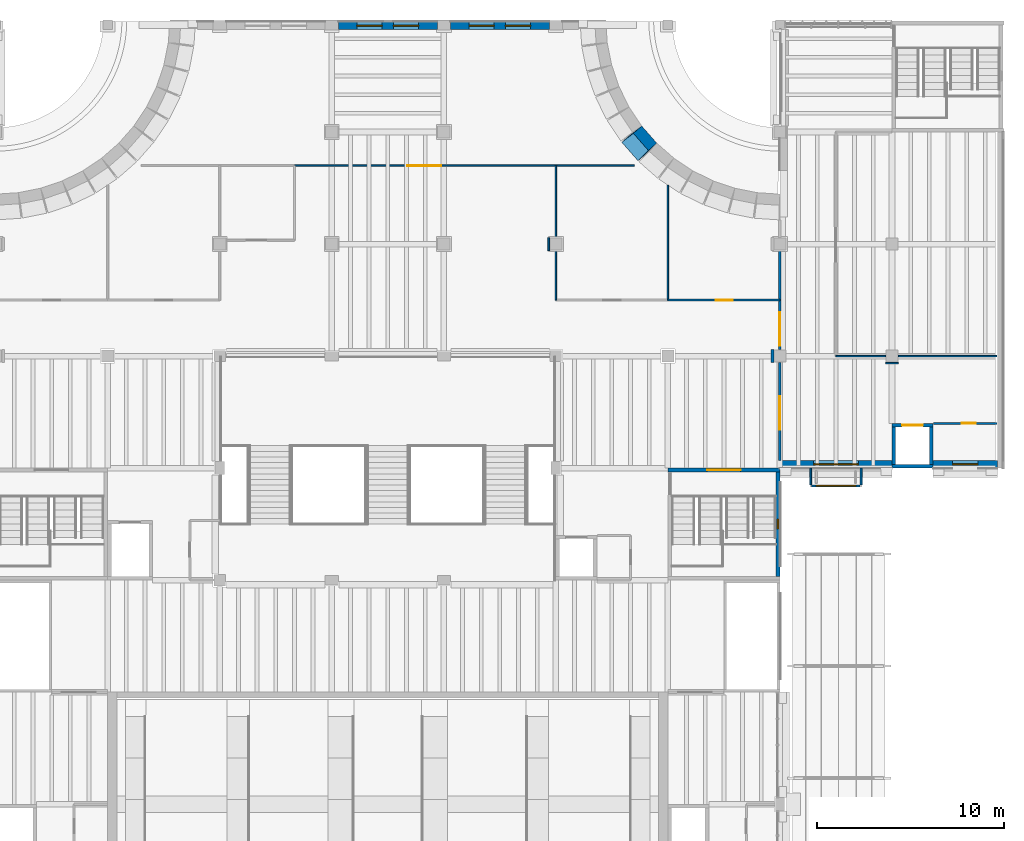
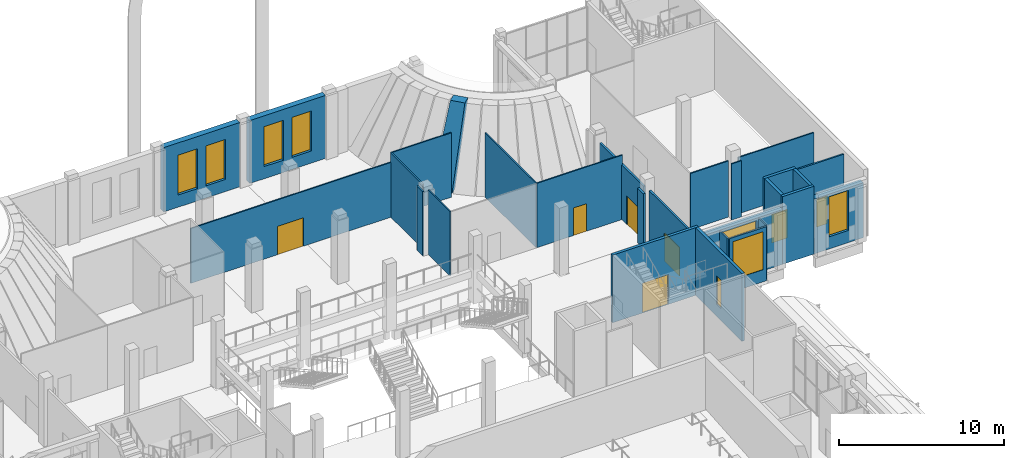
# One storey, part 45 of 80: 28 walls, 8 windows, 7 doors, 15 openings.
"""IFC4 building model written with IfcOpenShell, lengths in metres."""

import ifcopenshell
import ifcopenshell.guid

model = None  # the IFC model being written
_history = None  # IfcOwnerHistory: only IFC2X3 demands one
_inside = {}  # id of a spatial element -> (the spatial element, [elements in it])
_under = {}  # id of a project, library or spatial element -> (it, [spatial elements below it])
_declared = {}  # id of a project -> (the project, [libraries it declares])
_typed = {}  # id of a type object -> (the type object, [elements of that type])
_made_of = {}  # id of a material, layer set ... -> (it, [elements and type objects made of it])


def new_model(schema):
    """Start an empty IFC model of exactly this schema.

    Asked for "IFC4X3", IfcOpenShell would pick the latest addendum, in which some entities
    have other attributes; the version numbers below select the first issue.
    IFC2X3 requires an IfcOwnerHistory on every rooted entity: one is made here for all.
    """
    global model, _history
    if schema == "IFC4X3":
        model = ifcopenshell.file(schema_version=(4, 3, 0, 0))
    else:
        model = ifcopenshell.file(schema=schema)
    _inside.clear()
    _under.clear()
    _declared.clear()
    _typed.clear()
    _made_of.clear()
    _history = None
    if model.schema == "IFC2X3":
        org = make("IfcOrganization", Name="unknown")
        user = make(
            "IfcPersonAndOrganization",
            ThePerson=make("IfcPerson", FamilyName="unknown"),
            TheOrganization=org,
        )
        app = make(
            "IfcApplication",
            ApplicationDeveloper=org,
            Version="unknown",
            ApplicationFullName="unknown",
            ApplicationIdentifier="unknown",
        )
        _history = make(
            "IfcOwnerHistory",
            OwningUser=user,
            OwningApplication=app,
            ChangeAction="ADDED",
            CreationDate=0,
        )
    return model


def make(cls, **values):
    """One entity of the class cls with the attributes given. An attribute that is None is left unset."""
    return model.create_entity(
        cls, **{name: value for name, value in values.items() if value is not None}
    )


def rooted(cls, **values):
    """An entity with a GlobalId (a new one), such as an element, a storey or a relation."""
    return make(cls, GlobalId=ifcopenshell.guid.new(), OwnerHistory=_history, **values)


def si_unit(unit_type, name, prefix=None):
    """IfcSIUnit, for example si_unit("LENGTHUNIT", "METRE", prefix="MILLI")."""
    return make("IfcSIUnit", UnitType=unit_type, Prefix=prefix, Name=name)


def assignment(units):
    """IfcUnitAssignment: the units of a project."""
    return None if units is None else make("IfcUnitAssignment", Units=units)


def point(xyz):
    """IfcCartesianPoint."""
    return None if xyz is None else make("IfcCartesianPoint", Coordinates=xyz)


def direction(xyz):
    """IfcDirection."""
    return None if xyz is None else make("IfcDirection", DirectionRatios=xyz)


def frame(location, z_axis=None, x_axis=None):
    """IfcAxis2Placement3D, a coordinate frame: its origin and axes. An axis left out is left unset."""
    return make(
        "IfcAxis2Placement3D",
        Location=point(location),
        Axis=direction(z_axis),
        RefDirection=direction(x_axis),
    )


def frame_2d(location, x_axis=None):
    """IfcAxis2Placement2D, a coordinate frame in the plane: its origin and x axis."""
    return make(
        "IfcAxis2Placement2D", Location=point(location), RefDirection=direction(x_axis)
    )


def origin():
    """The frame at (0, 0, 0) with its axes left unset."""
    return frame((0.0, 0.0, 0.0))


def place(relative_to, where):
    """IfcLocalPlacement: puts the frame where relative to a parent placement (None: the world)."""
    return make(
        "IfcLocalPlacement", PlacementRelTo=relative_to, RelativePlacement=where
    )


def context(
    kind, dimensions, precision=None, world=None, true_north=None, identifier=None
):
    """IfcGeometricRepresentationContext, for example the 3D "Model" context."""
    return make(
        "IfcGeometricRepresentationContext",
        ContextIdentifier=identifier,
        ContextType=kind,
        CoordinateSpaceDimension=dimensions,
        Precision=precision,
        WorldCoordinateSystem=world,
        TrueNorth=true_north,
    )


def subcontext(parent, identifier, kind, view, scale=None):
    """IfcGeometricRepresentationSubContext, for example "Body" below "Model"."""
    return make(
        "IfcGeometricRepresentationSubContext",
        ContextIdentifier=identifier,
        ContextType=kind,
        ParentContext=parent,
        TargetScale=scale,
        TargetView=view,
    )


def project(units=None, contexts=None):
    """IfcProject with its units and contexts."""
    return rooted(
        "IfcProject",
        Name="project",
        RepresentationContexts=contexts,
        UnitsInContext=assignment(units),
    )


def spatial(cls, under=None, at=None, **own):
    """A site, building, storey or space (cls), placed at a placement, below another one or the project."""
    s = rooted(cls, ObjectPlacement=at, **own)
    if under is not None:
        _under.setdefault(under.id(), (under, []))[1].append(s)
    return s


def polyline(points):
    """IfcPolyline through the points."""
    return make("IfcPolyline", Points=[point(p) for p in points])


def profile(cls, at=None, kind="AREA", **sizes):
    """A parametric profile (cls). Its sizes go by their IFC names, for example OverallWidth=200.0."""
    return make(cls, ProfileType=kind, Position=at, **sizes)


def rectangle(**sizes):
    """IfcRectangleProfileDef."""
    return profile("IfcRectangleProfileDef", **sizes)


def outline(outer, holes=None, kind="AREA"):
    """IfcArbitraryClosedProfileDef: a profile drawn as a closed curve; with holes, ...WithVoids."""
    if holes is None:
        return make("IfcArbitraryClosedProfileDef", ProfileType=kind, OuterCurve=outer)
    return make(
        "IfcArbitraryProfileDefWithVoids",
        ProfileType=kind,
        OuterCurve=outer,
        InnerCurves=holes,
    )


def extrude(swept, where, along, depth):
    """IfcExtrudedAreaSolid: the profile swept, set in the frame where, extruded along a direction by depth."""
    return make(
        "IfcExtrudedAreaSolid",
        SweptArea=swept,
        Position=where,
        ExtrudedDirection=direction(along),
        Depth=depth,
    )


def shape(context_of_items, identifier, shape_type, items):
    """IfcShapeRepresentation: the items that make up one representation, for example the "Body"."""
    return make(
        "IfcShapeRepresentation",
        ContextOfItems=context_of_items,
        RepresentationIdentifier=identifier,
        RepresentationType=shape_type,
        Items=items,
    )


def material(Name=None, Category=None):
    """IfcMaterial."""
    return make("IfcMaterial", Name=Name, Category=Category)


def layer(
    of_material, thickness, ventilated=None, Name=None, Category=None, Priority=None
):
    """IfcMaterialLayer: one layer of a wall or slab, of a material (None: an air gap)."""
    return make(
        "IfcMaterialLayer",
        Material=of_material,
        LayerThickness=thickness,
        IsVentilated=ventilated,
        Name=Name,
        Category=Category,
        Priority=Priority,
    )


def layer_set(layers, Name=None):
    """IfcMaterialLayerSet."""
    return make("IfcMaterialLayerSet", MaterialLayers=layers, LayerSetName=Name)


def made_of(thing, what):
    """Note that an element or type object is made of a material, layer set ...; save() writes the relation."""
    if what is not None:
        _made_of.setdefault(what.id(), (what, []))[1].append(thing)
    return thing


def type_object(cls, material=None, **own):
    """A type object (cls), such as IfcWallType, which elements share."""
    return made_of(rooted(cls, **own), material)


def element(
    cls,
    number,
    at=None,
    inside=None,
    cuts=None,
    type_object=None,
    material=None,
    context=None,
    identifier="Body",
    shape_type=None,
    held_by="IfcProductDefinitionShape",
    body=None,
    shapes=None,
    **own,
):
    """One element of the class cls, such as IfcWall. Its Tag is "e" and its number.

    at: its placement. inside: the storey or other place that contains it. cuts: it is an
    opening in that element (IfcRelVoidsElement). A single representation is given by context,
    identifier, shape_type and body (its items); several are given by shapes. held_by: the class
    of the entity that holds the representations. save() writes the other relations.
    """
    e = rooted(cls, Tag="e%d" % number, ObjectPlacement=at, **own)
    if body is not None:
        shapes = [shape(context, identifier, shape_type, body)]
    if shapes is not None:
        e.Representation = make(held_by, Representations=shapes)
    if inside is not None:
        _inside.setdefault(inside.id(), (inside, []))[1].append(e)
    if cuts is not None:
        rooted(
            "IfcRelVoidsElement", RelatingBuildingElement=cuts, RelatedOpeningElement=e
        )
    if type_object is not None:
        _typed.setdefault(type_object.id(), (type_object, []))[1].append(e)
    return made_of(e, material)


def fill(opening, filler):
    """IfcRelFillsElement: the door or window that sits in an opening."""
    return rooted(
        "IfcRelFillsElement",
        RelatingOpeningElement=opening,
        RelatedBuildingElement=filler,
    )


def aggregate(whole, parts):
    """IfcRelAggregates: a whole, such as a stair, and the parts it consists of."""
    return rooted("IfcRelAggregates", RelatingObject=whole, RelatedObjects=parts)


def save(model, path):
    """Write the relations noted so far, then the file.

    IfcRelAggregates (storeys below a building ...), IfcRelContainedInSpatialStructure (elements
    in a storey), IfcRelDefinesByType, IfcRelAssociatesMaterial and IfcRelDeclares: one each for
    every whole, place, type object, material and project.
    """
    for whole, parts in _under.values():
        aggregate(whole, parts)
    for where, things in _inside.values():
        rooted(
            "IfcRelContainedInSpatialStructure",
            RelatedElements=things,
            RelatingStructure=where,
        )
    for kind, things in _typed.values():
        rooted("IfcRelDefinesByType", RelatedObjects=things, RelatingType=kind)
    for what, things in _made_of.values():
        rooted("IfcRelAssociatesMaterial", RelatedObjects=things, RelatingMaterial=what)
    for by, libraries in _declared.values():
        rooted("IfcRelDeclares", RelatingContext=by, RelatedDefinitions=libraries)
    model.write(path)


model = new_model("IFC4")

# Units and contexts
model_context = context("Model", 3, precision=1e-05, world=origin(), true_north=direction((0.0, 1.0)))
body_context = subcontext(model_context, "Body", "Model", "MODEL_VIEW")
ifc_project = project(units=[si_unit("LENGTHUNIT", "METRE"), si_unit("AREAUNIT", "SQUARE_METRE"), si_unit("VOLUMEUNIT", "CUBIC_METRE"), si_unit("PLANEANGLEUNIT", "RADIAN"), si_unit("MASSUNIT", "GRAM", prefix="KILO")], contexts=[model_context])

# Site, building, storey
site_placement = place(None, origin())
site = spatial("IfcSite", under=ifc_project, at=site_placement, CompositionType="ELEMENT")
building_placement = place(site_placement, origin())
building = spatial("IfcBuilding", under=site, at=building_placement, Name="Saffron Lane Theatres", CompositionType="ELEMENT")
storey_placement = place(building_placement, frame((0.0, 0.0, 7.0)))
storey = spatial("IfcBuildingStorey", under=building, at=storey_placement, Name="L01", CompositionType="ELEMENT", Elevation=7.0)

# Walls
ifc_material_1 = material(Name="Timber hardwood", Category="wood")
ifc_layer_1 = layer(ifc_material_1, 0.10009765625)
ifc_layer_set_1 = layer_set([ifc_layer_1], Name="Timber hardwood")
wall_type_1 = type_object("IfcWallType", Name="EX-CUMBA PANEL 100", PredefinedType="SOLIDWALL", material=ifc_layer_set_1)
for number, where, z_axis, x_axis, name in (
    (1, (58.35009765625, 102.0, 0.0), (0.0, 0.0, 1.0), (0.0, -1.0, 0.0), "Cumba bay 2 side"),
    (2, (55.64990234375, 102.0, 0.0), (0.0, 0.0, 1.0), (0.0, -1.0, 0.0), "Cumba bay 2 side"),
):
    element("IfcWall", number, at=place(storey_placement, frame(where, z_axis=z_axis, x_axis=x_axis)), inside=storey, type_object=wall_type_1, Name=name, PredefinedType="SOLIDWALL", context=body_context, shape_type="SweptSolid", body=[
        extrude(rectangle(XDim=0.89990234375, YDim=0.10009765625, at=frame_2d((0.449951171875, 0.0))), origin(), (0.0, 0.0, 1.0), 4.0),
    ])

# Wall, opening, window
wall_1_placement = place(storey_placement, frame((58.300048828125, 101.050048828125, 0.0), z_axis=(0.0, 0.0, 1.0), x_axis=(-1.0, 0.0, 0.0)))
wall_1 = element("IfcWall", 3, at=wall_1_placement, inside=storey, type_object=wall_type_1, Name="Cumba bay 2 front", PredefinedType="SOLIDWALL", context=body_context, shape_type="SweptSolid", body=[
    extrude(rectangle(XDim=2.60009765625, YDim=0.10009765625, at=frame_2d((1.300048828125, 0.0))), origin(), (0.0, 0.0, 1.0), 4.0),
])
opening_1_placement = place(wall_1_placement, frame((0.25, 0.0, 0.89990234375)))
opening_1 = element("IfcOpeningElement", 4, at=opening_1_placement, cuts=wall_1, Name="Opening WN01-022", PredefinedType="OPENING", context=body_context, shape_type="SweptSolid", body=[
    extrude(rectangle(XDim=2.10009765625, YDim=2.800048828125, at=frame_2d((1.050048828125, 1.39990234375))), frame((0.0, 0.06005859375, 0.0), z_axis=(0.0, -1.0, 0.0), x_axis=(1.0, 0.0, 0.0)), (0.0, 0.0, 1.0), 0.1201171875),
])
ifc_material_2 = material(Name="Aluminium", Category="aluminium")
window_type_1 = type_object("IfcWindowType", Name="EX-WINDOW 2100x2800", PartitioningType="TRIPLE_PANEL_VERTICAL", PredefinedType="WINDOW", material=ifc_material_2)
window_1_placement = place(opening_1_placement, origin())
window_1 = element("IfcWindow", 5, at=window_1_placement, inside=storey, type_object=window_type_1, Name="Window L01 CB2 front", OverallHeight=2.800048828125, OverallWidth=2.10009765625, PartitioningType="SINGLE_PANEL", PredefinedType="WINDOW", context=body_context, shape_type="SweptSolid", body=[
    extrude(rectangle(XDim=2.10009765625, YDim=2.800048828125, at=frame_2d((1.050048828125, 1.39990234375))), frame((0.0, 0.030029296875, 0.0), z_axis=(0.0, -1.0, 0.0), x_axis=(1.0, 0.0, 0.0)), (0.0, 0.0, 1.0), 0.06005859375),
])
fill(opening_1, window_1)

# Wall, openings, windows
ifc_material_3 = material(Name="Masonry pale clay brick", Category="masonry")
ifc_layer_2 = layer(ifc_material_3, 0.11, Name="facing leaf")
ifc_material_4 = material(Name="Air cavity", Category="air")
ifc_layer_3 = layer(ifc_material_4, 0.05, ventilated=True, Name="cavity")
ifc_material_5 = material(Name="Mineral wool insulation")
ifc_layer_4 = layer(ifc_material_5, 0.06, Name="insulation")
ifc_material_6 = material(Name="Concrete N40 (40 MPa)", Category="concrete")
ifc_layer_5 = layer(ifc_material_6, 0.18, Name="inner leaf")
ifc_layer_set_2 = layer_set([ifc_layer_2, ifc_layer_3, ifc_layer_4, ifc_layer_5], Name="Masonry pale clay brick")
wall_type_2 = type_object("IfcWallType", Name="EX-WALL BRICK 400", PredefinedType="SOLIDWALL", material=ifc_layer_set_2)
wall_2_placement = place(storey_placement, frame((30.35009765625, 125.699951171875, 0.0), z_axis=(0.0, 0.0, 1.0), x_axis=(1.0, 0.0, 0.0)))
wall_2 = element("IfcWall", 6, at=wall_2_placement, inside=storey, type_object=wall_type_2, Name="External wall L01 09", PredefinedType="SOLIDWALL", context=body_context, shape_type="SweptSolid", body=[
    extrude(rectangle(XDim=5.2998046875, YDim=0.39990234375, at=frame_2d((2.64990234375, 0.0))), origin(), (0.0, 0.0, 1.0), 4.75),
])
opening_2_placement = place(wall_2_placement, frame((1.0, 0.0, 0.89990234375)))
opening_2 = element("IfcOpeningElement", 7, at=opening_2_placement, cuts=wall_2, Name="Opening WN01-004", PredefinedType="OPENING", context=body_context, shape_type="SweptSolid", body=[
    extrude(rectangle(XDim=1.35009765625, YDim=2.949951171875, at=frame_2d((0.675048828125, 1.47509765625))), frame((0.0, 0.2099609375, 0.0), z_axis=(0.0, -1.0, 0.0), x_axis=(1.0, 0.0, 0.0)), (0.0, 0.0, 1.0), 0.419921875),
])
opening_3_placement = place(wall_2_placement, frame((2.949951171875, 0.0, 0.89990234375)))
opening_3 = element("IfcOpeningElement", 8, at=opening_3_placement, cuts=wall_2, Name="Opening WN01-005", PredefinedType="OPENING", context=body_context, shape_type="SweptSolid", body=[
    extrude(rectangle(XDim=1.35009765625, YDim=2.949951171875, at=frame_2d((0.675048828125, 1.47509765625))), frame((0.0, 0.2099609375, 0.0), z_axis=(0.0, -1.0, 0.0), x_axis=(1.0, 0.0, 0.0)), (0.0, 0.0, 1.0), 0.419921875),
])
ifc_material_7 = material(Name="Aluminium", Category="aluminium")
window_type_2 = type_object("IfcWindowType", Name="EX-WINDOW 1350x2950", PartitioningType="SINGLE_PANEL", PredefinedType="WINDOW", material=ifc_material_7)
window_2_placement = place(opening_2_placement, origin())
window_2 = element("IfcWindow", 9, at=window_2_placement, inside=storey, type_object=window_type_2, Name="Window L01 004", OverallHeight=2.949951171875, OverallWidth=1.35009765625, PartitioningType="SINGLE_PANEL", PredefinedType="WINDOW", context=body_context, shape_type="SweptSolid", body=[
    extrude(rectangle(XDim=1.35009765625, YDim=2.949951171875, at=frame_2d((0.675048828125, 1.47509765625))), frame((0.0, 0.030029296875, 0.0), z_axis=(0.0, -1.0, 0.0), x_axis=(1.0, 0.0, 0.0)), (0.0, 0.0, 1.0), 0.06005859375),
])
fill(opening_2, window_2)
window_3_placement = place(opening_3_placement, origin())
window_3 = element("IfcWindow", 10, at=window_3_placement, inside=storey, type_object=window_type_2, Name="Window L01 005", OverallHeight=2.949951171875, OverallWidth=1.35009765625, PartitioningType="SINGLE_PANEL", PredefinedType="WINDOW", context=body_context, shape_type="SweptSolid", body=[
    extrude(rectangle(XDim=1.35009765625, YDim=2.949951171875, at=frame_2d((0.675048828125, 1.47509765625))), frame((0.0, 0.030029296875, 0.0), z_axis=(0.0, -1.0, 0.0), x_axis=(1.0, 0.0, 0.0)), (0.0, 0.0, 1.0), 0.06005859375),
])
fill(opening_3, window_3)

wall_3_placement = place(storey_placement, frame((36.35009765625, 125.699951171875, 0.0), z_axis=(0.0, 0.0, 1.0), x_axis=(1.0, 0.0, 0.0)))
wall_3 = element("IfcWall", 11, at=wall_3_placement, inside=storey, type_object=wall_type_2, Name="External wall L01 10", PredefinedType="SOLIDWALL", context=body_context, shape_type="SweptSolid", body=[
    extrude(rectangle(XDim=5.2998046875, YDim=0.39990234375, at=frame_2d((2.64990234375, 0.0))), origin(), (0.0, 0.0, 1.0), 4.64990234375),
])
opening_4_placement = place(wall_3_placement, frame((1.0, 0.0, 0.89990234375)))
opening_4 = element("IfcOpeningElement", 12, at=opening_4_placement, cuts=wall_3, Name="Opening WN01-006", PredefinedType="OPENING", context=body_context, shape_type="SweptSolid", body=[
    extrude(rectangle(XDim=1.35009765625, YDim=2.949951171875, at=frame_2d((0.675048828125, 1.47509765625))), frame((0.0, 0.2099609375, 0.0), z_axis=(0.0, -1.0, 0.0), x_axis=(1.0, 0.0, 0.0)), (0.0, 0.0, 1.0), 0.419921875),
])
opening_5_placement = place(wall_3_placement, frame((2.949951171875, 0.0, 0.89990234375)))
opening_5 = element("IfcOpeningElement", 13, at=opening_5_placement, cuts=wall_3, Name="Opening WN01-007", PredefinedType="OPENING", context=body_context, shape_type="SweptSolid", body=[
    extrude(rectangle(XDim=1.35009765625, YDim=2.949951171875, at=frame_2d((0.675048828125, 1.47509765625))), frame((0.0, 0.2099609375, 0.0), z_axis=(0.0, -1.0, 0.0), x_axis=(1.0, 0.0, 0.0)), (0.0, 0.0, 1.0), 0.419921875),
])
window_4_placement = place(opening_4_placement, origin())
window_4 = element("IfcWindow", 14, at=window_4_placement, inside=storey, type_object=window_type_2, Name="Window L01 006", OverallHeight=2.949951171875, OverallWidth=1.35009765625, PartitioningType="SINGLE_PANEL", PredefinedType="WINDOW", context=body_context, shape_type="SweptSolid", body=[
    extrude(rectangle(XDim=1.35009765625, YDim=2.949951171875, at=frame_2d((0.675048828125, 1.47509765625))), frame((0.0, 0.030029296875, 0.0), z_axis=(0.0, -1.0, 0.0), x_axis=(1.0, 0.0, 0.0)), (0.0, 0.0, 1.0), 0.06005859375),
])
fill(opening_4, window_4)
window_5_placement = place(opening_5_placement, origin())
window_5 = element("IfcWindow", 15, at=window_5_placement, inside=storey, type_object=window_type_2, Name="Window L01 007", OverallHeight=2.949951171875, OverallWidth=1.35009765625, PartitioningType="SINGLE_PANEL", PredefinedType="WINDOW", context=body_context, shape_type="SweptSolid", body=[
    extrude(rectangle(XDim=1.35009765625, YDim=2.949951171875, at=frame_2d((0.675048828125, 1.47509765625))), frame((0.0, 0.030029296875, 0.0), z_axis=(0.0, -1.0, 0.0), x_axis=(1.0, 0.0, 0.0)), (0.0, 0.0, 1.0), 0.06005859375),
])
fill(opening_5, window_5)

# Wall, opening, window
wall_4_placement = place(storey_placement, frame((65.639892578125, 102.199951171875, 0.0), z_axis=(0.0, 0.0, 1.0), x_axis=(-1.0, 0.0, 0.0)))
wall_4 = element("IfcWall", 16, at=wall_4_placement, inside=storey, type_object=wall_type_2, Name="External wall L01 16", PredefinedType="SOLIDWALL", context=body_context, shape_type="SweptSolid", body=[
    extrude(rectangle(XDim=3.43994140625, YDim=0.39990234375, at=frame_2d((1.719970703125, 0.0))), origin(), (0.0, 0.0, 1.0), 4.050048828125),
])
opening_6_placement = place(wall_4_placement, frame((1.044921875, 0.0, 0.89990234375)))
opening_6 = element("IfcOpeningElement", 17, at=opening_6_placement, cuts=wall_4, Name="Opening WN01-008", PredefinedType="OPENING", context=body_context, shape_type="SweptSolid", body=[
    extrude(rectangle(XDim=1.35009765625, YDim=2.949951171875, at=frame_2d((0.675048828125, 1.47509765625))), frame((0.0, 0.2099609375, 0.0), z_axis=(0.0, -1.0, 0.0), x_axis=(1.0, 0.0, 0.0)), (0.0, 0.0, 1.0), 0.419921875),
])
window_6_placement = place(opening_6_placement, origin())
window_6 = element("IfcWindow", 18, at=window_6_placement, inside=storey, type_object=window_type_2, Name="Window L01 008", OverallHeight=2.949951171875, OverallWidth=1.35009765625, PartitioningType="SINGLE_PANEL", PredefinedType="WINDOW", context=body_context, shape_type="SweptSolid", body=[
    extrude(rectangle(XDim=1.35009765625, YDim=2.949951171875, at=frame_2d((0.675048828125, 1.47509765625))), frame((0.0, 0.030029296875, 0.0), z_axis=(0.0, -1.0, 0.0), x_axis=(1.0, 0.0, 0.0)), (0.0, 0.0, 1.0), 0.06005859375),
])
fill(opening_6, window_6)

wall_5_placement = place(storey_placement, frame((60.0, 102.199951171875, 0.0), z_axis=(0.0, 0.0, 1.0), x_axis=(-1.0, 0.0, 0.0)))
wall_5 = element("IfcWall", 19, at=wall_5_placement, inside=storey, type_object=wall_type_2, Name="External wall L01 17", PredefinedType="SOLIDWALL", context=body_context, shape_type="SweptSolid", body=[
    extrude(rectangle(XDim=6.0, YDim=0.39990234375, at=frame_2d((3.0, 0.0))), origin(), (0.0, 0.0, 1.0), 4.050048828125),
])
opening_7_placement = place(wall_5_placement, frame((1.800048828125, 0.0, 0.89990234375)))
opening_7 = element("IfcOpeningElement", 20, at=opening_7_placement, cuts=wall_5, Name="Opening WN01-021", PredefinedType="OPENING", context=body_context, shape_type="SweptSolid", body=[
    extrude(rectangle(XDim=2.39990234375, YDim=2.949951171875, at=frame_2d((1.199951171875, 1.47509765625))), frame((0.0, 0.2099609375, 0.0), z_axis=(0.0, -1.0, 0.0), x_axis=(1.0, 0.0, 0.0)), (0.0, 0.0, 1.0), 0.419921875),
])
ifc_material_8 = material(Name="Aluminium", Category="aluminium")
window_type_3 = type_object("IfcWindowType", Name="EX-WINDOW 2400x2950", PartitioningType="TRIPLE_PANEL_VERTICAL", PredefinedType="WINDOW", material=ifc_material_8)
window_7_placement = place(opening_7_placement, origin())
window_7 = element("IfcWindow", 21, at=window_7_placement, inside=storey, type_object=window_type_3, Name="Window L01 CB2", OverallHeight=2.949951171875, OverallWidth=2.39990234375, PartitioningType="SINGLE_PANEL", PredefinedType="WINDOW", context=body_context, shape_type="SweptSolid", body=[
    extrude(rectangle(XDim=2.39990234375, YDim=2.949951171875, at=frame_2d((1.199951171875, 1.47509765625))), frame((0.0, 0.030029296875, 0.0), z_axis=(0.0, -1.0, 0.0), x_axis=(1.0, 0.0, 0.0)), (0.0, 0.0, 1.0), 0.06005859375),
])
fill(opening_7, window_7)

# Wall, opening, door
ifc_material_9 = material(Name="Masonry block partition", Category="masonry")
ifc_layer_6 = layer(ifc_material_9, 0.110107421875)
ifc_layer_set_3 = layer_set([ifc_layer_6], Name="Masonry block partition")
wall_type_3 = type_object("IfcWallType", Name="IN-BLOCK PARTITION 110", PredefinedType="PARTITIONING", material=ifc_layer_set_3)
wall_6_placement = place(storey_placement, frame((62.219970703125, 104.39990234375, 0.0), z_axis=(0.0, 0.0, 1.0), x_axis=(1.0, 0.0, 0.0)))
wall_6 = element("IfcWall", 22, at=wall_6_placement, inside=storey, type_object=wall_type_3, Name="PW-L01-047", PredefinedType="PARTITIONING", context=body_context, shape_type="SweptSolid", body=[
    extrude(rectangle(XDim=3.400146484375, YDim=0.110107421875, at=frame_2d((1.7001953125, 0.0))), origin(), (0.0, 0.0, 1.0), 4.75),
])
opening_8_placement = place(wall_6_placement, frame((1.530029296875, 0.0, 0.0)))
opening_8 = element("IfcOpeningElement", 23, at=opening_8_placement, cuts=wall_6, Name="Opening D01-57", PredefinedType="OPENING", context=body_context, shape_type="SweptSolid", body=[
    extrude(rectangle(XDim=0.75, YDim=2.0400390625, at=frame_2d((0.375, 1.02001953125))), frame((0.0, 0.06494140625, 0.0), z_axis=(0.0, -1.0, 0.0), x_axis=(1.0, 0.0, 0.0)), (0.0, 0.0, 1.0), 0.130126953125),
])
ifc_material_10 = material(Name="Steel faced fire door leaf", Category="steel")
door_type_1 = type_object("IfcDoorType", Name="IN-DOOR 750x2040 FD60", OperationType="NOTDEFINED", PredefinedType="DOOR", material=ifc_material_10)
door_1_placement = place(opening_8_placement, frame((0.75, 0.0, 0.0), z_axis=(0.0, 0.0, 1.0), x_axis=(-1.0, 0.0, 0.0)))
door_1 = element("IfcDoor", 24, at=door_1_placement, inside=storey, type_object=door_type_1, Name="D01-57", OperationType="SINGLE_SWING_RIGHT", OverallHeight=2.0400390625, OverallWidth=0.75, PredefinedType="DOOR", context=body_context, shape_type="SweptSolid", body=[
    extrude(rectangle(XDim=0.75, YDim=2.0400390625, at=frame_2d((0.375, 1.02001953125))), frame((0.0, 0.02490234375, 0.0), z_axis=(0.0, -1.0, 0.0), x_axis=(1.0, 0.0, 0.0)), (0.0, 0.0, 1.0), 0.050048828125),
])
fill(opening_8, door_1)

ifc_material_11 = material(Name="Masonry block partition", Category="masonry")
ifc_layer_7 = layer(ifc_material_11, 0.139892578125)
ifc_layer_set_4 = layer_set([ifc_layer_7], Name="Masonry block partition")
wall_type_4 = type_object("IfcWallType", Name="IN-BLOCK PARTITION 140", PredefinedType="PARTITIONING", material=ifc_layer_set_4)
wall_7_placement = place(storey_placement, frame((54.0, 102.419921875, 0.0), z_axis=(0.0, 0.0, 1.0), x_axis=(0.0, 1.0, 0.0)))
wall_7 = element("IfcWall", 25, at=wall_7_placement, inside=storey, type_object=wall_type_4, Name="PW-L01-058", PredefinedType="PARTITIONING", context=body_context, shape_type="SweptSolid", body=[
    extrude(rectangle(XDim=5.235107421875, YDim=0.139892578125, at=frame_2d((2.61767578125, 0.0))), origin(), (0.0, 0.0, 1.0), 4.14990234375),
])
opening_9_placement = place(wall_7_placement, frame((1.6298828125, 0.0, 0.0)))
opening_9 = element("IfcOpeningElement", 26, at=opening_9_placement, cuts=wall_7, Name="Opening D01-65", PredefinedType="OPENING", context=body_context, shape_type="SweptSolid", body=[
    extrude(rectangle(XDim=1.800048828125, YDim=2.10009765625, at=frame_2d((0.89990234375, 1.050048828125))), frame((0.0, 0.080078125, 0.0), z_axis=(0.0, -1.0, 0.0), x_axis=(1.0, 0.0, 0.0)), (0.0, 0.0, 1.0), 0.159912109375),
])
ifc_material_12 = material(Name="Steel faced fire door leaf", Category="steel")
door_type_2 = type_object("IfcDoorType", Name="IN-DOOR 1800x2100 FD120", OperationType="DOUBLE_DOOR_SINGLE_SWING", PredefinedType="DOOR", material=ifc_material_12)
door_2_placement = place(opening_9_placement, origin())
door_2 = element("IfcDoor", 27, at=door_2_placement, inside=storey, type_object=door_type_2, Name="D01-65", OperationType="DOUBLE_DOOR_SINGLE_SWING", OverallHeight=2.10009765625, OverallWidth=1.800048828125, PredefinedType="DOOR", context=body_context, shape_type="SweptSolid", body=[
    extrude(rectangle(XDim=1.800048828125, YDim=2.10009765625, at=frame_2d((0.89990234375, 1.050048828125))), frame((0.0, 0.02490234375, 0.0), z_axis=(0.0, -1.0, 0.0), x_axis=(1.0, 0.0, 0.0)), (0.0, 0.0, 1.0), 0.050048828125),
])
fill(opening_9, door_2)

wall_8_placement = place(storey_placement, frame((54.0, 108.344970703125, 0.0), z_axis=(0.0, 0.0, 1.0), x_axis=(0.0, 1.0, 0.0)))
wall_8 = element("IfcWall", 28, at=wall_8_placement, inside=storey, type_object=wall_type_4, Name="PW-L01-059", PredefinedType="PARTITIONING", context=body_context, shape_type="SweptSolid", body=[
    extrude(rectangle(XDim=5.31005859375, YDim=0.139892578125, at=frame_2d((2.655029296875, 0.0))), origin(), (0.0, 0.0, 1.0), 4.050048828125),
])
opening_10_placement = place(wall_8_placement, frame((0.205078125, 0.0, 0.0)))
opening_10 = element("IfcOpeningElement", 29, at=opening_10_placement, cuts=wall_8, Name="Opening D01-66", PredefinedType="OPENING", context=body_context, shape_type="SweptSolid", body=[
    extrude(rectangle(XDim=1.800048828125, YDim=2.10009765625, at=frame_2d((0.89990234375, 1.050048828125))), frame((0.0, 0.080078125, 0.0), z_axis=(0.0, -1.0, 0.0), x_axis=(1.0, 0.0, 0.0)), (0.0, 0.0, 1.0), 0.159912109375),
])
door_3_placement = place(opening_10_placement, origin())
door_3 = element("IfcDoor", 30, at=door_3_placement, inside=storey, type_object=door_type_2, Name="D01-66", OperationType="DOUBLE_DOOR_SINGLE_SWING", OverallHeight=2.10009765625, OverallWidth=1.800048828125, PredefinedType="DOOR", context=body_context, shape_type="SweptSolid", body=[
    extrude(rectangle(XDim=1.800048828125, YDim=2.10009765625, at=frame_2d((0.89990234375, 1.050048828125))), frame((0.0, 0.02490234375, 0.0), z_axis=(0.0, -1.0, 0.0), x_axis=(1.0, 0.0, 0.0)), (0.0, 0.0, 1.0), 0.050048828125),
])
fill(opening_10, door_3)

# Wall
wall_9_placement = place(storey_placement, frame((53.60009765625, 107.655029296875, 0.0), z_axis=(0.0, 0.0, 1.0), x_axis=(0.0, 1.0, 0.0)))
element("IfcWall", 31, at=wall_9_placement, inside=storey, type_object=wall_type_4, Name="PW-L01-061", PredefinedType="PARTITIONING", context=body_context, shape_type="SweptSolid", body=[
    extrude(rectangle(XDim=0.68994140625, YDim=0.139892578125, at=frame_2d((0.344970703125, 0.0))), origin(), (0.0, 0.0, 1.0), 4.050048828125),
])

# Wall, opening, door
ifc_material_13 = material(Name="Plasterboard on 90 mm steel studs", Category="steel")
ifc_layer_8 = layer(ifc_material_13, 0.090087890625)
ifc_layer_set_5 = layer_set([ifc_layer_8], Name="Plasterboard on 90 mm steel studs")
wall_type_5 = type_object("IfcWallType", Name="IN-STUD PARTITION 090", PredefinedType="PARTITIONING", material=ifc_layer_set_5)
wall_10_placement = place(storey_placement, frame((28.0, 118.199951171875, 0.0), z_axis=(0.0, 0.0, 1.0), x_axis=(1.0, 0.0, 0.0)))
wall_10 = element("IfcWall", 32, at=wall_10_placement, inside=storey, type_object=wall_type_5, Name="PW-L01-086", PredefinedType="PARTITIONING", context=body_context, shape_type="SweptSolid", body=[
    extrude(rectangle(XDim=14.0, YDim=0.090087890625, at=frame_2d((7.0, 0.0))), origin(), (0.0, 0.0, 1.0), 4.050048828125),
])
opening_11_placement = place(wall_10_placement, frame((6.050048828125, 0.0, 0.0)))
opening_11 = element("IfcOpeningElement", 33, at=opening_11_placement, cuts=wall_10, Name="Opening D01-08", PredefinedType="OPENING", context=body_context, shape_type="SweptSolid", body=[
    extrude(rectangle(XDim=1.800048828125, YDim=2.10009765625, at=frame_2d((0.89990234375, 1.050048828125))), frame((0.0, 0.05517578125, 0.0), z_axis=(0.0, -1.0, 0.0), x_axis=(1.0, 0.0, 0.0)), (0.0, 0.0, 1.0), 0.110107421875),
])
ifc_material_14 = material(Name="Timber door leaf", Category="wood")
door_type_3 = type_object("IfcDoorType", Name="IN-DOOR 1800x2100", OperationType="DOUBLE_DOOR_SINGLE_SWING", PredefinedType="DOOR", material=ifc_material_14)
door_4_placement = place(opening_11_placement, origin())
door_4 = element("IfcDoor", 34, at=door_4_placement, inside=storey, type_object=door_type_3, Name="D01-08", OperationType="DOUBLE_DOOR_SINGLE_SWING", OverallHeight=2.10009765625, OverallWidth=1.800048828125, PredefinedType="DOOR", context=body_context, shape_type="SweptSolid", body=[
    extrude(rectangle(XDim=1.800048828125, YDim=2.10009765625, at=frame_2d((0.89990234375, 1.050048828125))), frame((0.0, 0.02490234375, 0.0), z_axis=(0.0, -1.0, 0.0), x_axis=(1.0, 0.0, 0.0)), (0.0, 0.0, 1.0), 0.050048828125),
])
fill(opening_11, door_4)

# Walls
wall_11_placement = place(storey_placement, frame((42.0, 118.199951171875, 0.0), z_axis=(0.0, 0.0, 1.0), x_axis=(1.0, 0.0, 0.0)))
element("IfcWall", 35, at=wall_11_placement, inside=storey, type_object=wall_type_5, Name="PW-L01-087", PredefinedType="PARTITIONING", context=body_context, shape_type="SweptSolid", body=[
    extrude(rectangle(XDim=4.199951171875, YDim=0.090087890625, at=frame_2d((2.10009765625, 0.0))), origin(), (0.0, 0.0, 1.0), 4.75),
])
wall_12_placement = place(storey_placement, frame((42.0, 111.0, 0.0), z_axis=(0.0, 0.0, 1.0), x_axis=(0.0, 1.0, 0.0)))
element("IfcWall", 36, at=wall_12_placement, inside=storey, type_object=wall_type_5, Name="PW-L01-089", PredefinedType="PARTITIONING", context=body_context, shape_type="SweptSolid", body=[
    extrude(rectangle(XDim=2.655029296875, YDim=0.090087890625, at=frame_2d((1.32763671875, 0.0))), origin(), (0.0, 0.0, 1.0), 4.75),
])
wall_13_placement = place(storey_placement, frame((42.0, 114.344970703125, 0.0), z_axis=(0.0, 0.0, 1.0), x_axis=(0.0, 1.0, 0.0)))
element("IfcWall", 37, at=wall_13_placement, inside=storey, type_object=wall_type_5, Name="PW-L01-090", PredefinedType="PARTITIONING", context=body_context, shape_type="SweptSolid", body=[
    extrude(rectangle(XDim=3.85498046875, YDim=0.090087890625, at=frame_2d((1.927490234375, 0.0))), origin(), (0.0, 0.0, 1.0), 4.75),
])
wall_14_placement = place(storey_placement, frame((41.625, 113.655029296875, 0.0), z_axis=(0.0, 0.0, 1.0), x_axis=(0.0, 1.0, 0.0)))
element("IfcWall", 38, at=wall_14_placement, inside=storey, type_object=wall_type_5, Name="PW-L01-091", PredefinedType="PARTITIONING", context=body_context, shape_type="SweptSolid", body=[
    extrude(rectangle(XDim=0.68994140625, YDim=0.090087890625, at=frame_2d((0.344970703125, 0.0))), origin(), (0.0, 0.0, 1.0), 4.75),
])

# Wall, opening, door
wall_15_placement = place(storey_placement, frame((48.0, 111.0, 0.0), z_axis=(0.0, 0.0, 1.0), x_axis=(1.0, 0.0, 0.0)))
wall_15 = element("IfcWall", 39, at=wall_15_placement, inside=storey, type_object=wall_type_5, Name="PW-L01-094", PredefinedType="PARTITIONING", context=body_context, shape_type="SweptSolid", body=[
    extrude(rectangle(XDim=6.0, YDim=0.090087890625, at=frame_2d((3.0, 0.0))), origin(), (0.0, 0.0, 1.0), 4.75),
])
opening_12_placement = place(wall_15_placement, frame((2.550048828125, 0.0, 0.0)))
opening_12 = element("IfcOpeningElement", 40, at=opening_12_placement, cuts=wall_15, Name="Opening D01-06", PredefinedType="OPENING", context=body_context, shape_type="SweptSolid", body=[
    extrude(rectangle(XDim=0.919921875, YDim=2.0400390625, at=frame_2d((0.4599609375, 1.02001953125))), frame((0.0, 0.05517578125, 0.0), z_axis=(0.0, -1.0, 0.0), x_axis=(1.0, 0.0, 0.0)), (0.0, 0.0, 1.0), 0.110107421875),
])
ifc_material_15 = material(Name="Timber door leaf", Category="wood")
door_type_4 = type_object("IfcDoorType", Name="IN-DOOR 920x2040", OperationType="NOTDEFINED", PredefinedType="DOOR", material=ifc_material_15)
door_5_placement = place(opening_12_placement, origin())
door_5 = element("IfcDoor", 41, at=door_5_placement, inside=storey, type_object=door_type_4, Name="D01-06", OperationType="SINGLE_SWING_RIGHT", OverallHeight=2.0400390625, OverallWidth=0.919921875, PredefinedType="DOOR", context=body_context, shape_type="SweptSolid", body=[
    extrude(rectangle(XDim=0.919921875, YDim=2.0400390625, at=frame_2d((0.4599609375, 1.02001953125))), frame((0.0, 0.02490234375, 0.0), z_axis=(0.0, -1.0, 0.0), x_axis=(1.0, 0.0, 0.0)), (0.0, 0.0, 1.0), 0.050048828125),
])
fill(opening_12, door_5)

# Walls
wall_16_placement = place(storey_placement, frame((48.0, 111.0, 0.0), z_axis=(0.0, 0.0, 1.0), x_axis=(0.0, 1.0, 0.0)))
element("IfcWall", 42, at=wall_16_placement, inside=storey, type_object=wall_type_5, Name="PW-L01-095", PredefinedType="PARTITIONING", context=body_context, shape_type="SweptSolid", body=[
    extrude(rectangle(XDim=6.1591796875, YDim=0.090087890625, at=frame_2d((3.07958984375, 0.0))), origin(), (0.0, 0.0, 1.0), 4.75),
])
wall_17_placement = place(storey_placement, frame((57.0, 108.0, 0.0), z_axis=(0.0, 0.0, 1.0), x_axis=(1.0, 0.0, 0.0)))
element("IfcWall", 43, at=wall_17_placement, inside=storey, type_object=wall_type_5, Name="PW-L01-098", PredefinedType="PARTITIONING", context=body_context, shape_type="SweptSolid", body=[
    extrude(rectangle(XDim=2.655029296875, YDim=0.090087890625, at=frame_2d((1.32763671875, 0.0))), origin(), (0.0, 0.0, 1.0), 4.14990234375),
])
wall_18_placement = place(storey_placement, frame((60.344970703125, 108.0, 0.0), z_axis=(0.0, 0.0, 1.0), x_axis=(1.0, 0.0, 0.0)))
element("IfcWall", 44, at=wall_18_placement, inside=storey, type_object=wall_type_5, Name="PW-L01-099", PredefinedType="PARTITIONING", context=body_context, shape_type="SweptSolid", body=[
    extrude(rectangle(XDim=5.275146484375, YDim=0.090087890625, at=frame_2d((2.6376953125, 0.0))), origin(), (0.0, 0.0, 1.0), 4.14990234375),
])
wall_19_placement = place(storey_placement, frame((59.655029296875, 107.625, 0.0), z_axis=(0.0, 0.0, 1.0), x_axis=(1.0, 0.0, 0.0)))
element("IfcWall", 45, at=wall_19_placement, inside=storey, type_object=wall_type_5, Name="PW-L01-100", PredefinedType="PARTITIONING", context=body_context, shape_type="SweptSolid", body=[
    extrude(rectangle(XDim=0.68994140625, YDim=0.090087890625, at=frame_2d((0.344970703125, 0.0))), origin(), (0.0, 0.0, 1.0), 4.14990234375),
])

# Wall, opening, door
ifc_material_16 = material(Name="Concrete N50 (50 MPa)", Category="concrete")
ifc_layer_9 = layer(ifc_material_16, 0.199951171875)
ifc_layer_set_6 = layer_set([ifc_layer_9], Name="Concrete N50 (50 MPa)")
wall_type_6 = type_object("IfcWallType", Name="RC-CORE 200", PredefinedType="SHEAR", material=ifc_layer_set_6)
wall_20_placement = place(storey_placement, frame((48.0, 101.89990234375, 0.0), z_axis=(0.0, 0.0, 1.0), x_axis=(1.0, 0.0, 0.0)))
wall_20 = element("IfcWall", 46, at=wall_20_placement, inside=storey, type_object=wall_type_6, Name="W-ST2-N-L01", PredefinedType="SHEAR", context=body_context, shape_type="SweptSolid", body=[
    extrude(rectangle(XDim=6.0, YDim=0.199951171875, at=frame_2d((3.0, 0.0))), origin(), (0.0, 0.0, 1.0), 5.0),
])
opening_13_placement = place(wall_20_placement, frame((2.10009765625, 0.0, 0.0)))
opening_13 = element("IfcOpeningElement", 47, at=opening_13_placement, cuts=wall_20, Name="Opening D01-33", PredefinedType="OPENING", context=body_context, shape_type="SweptSolid", body=[
    extrude(rectangle(XDim=1.800048828125, YDim=2.199951171875, at=frame_2d((0.89990234375, 1.10009765625))), frame((0.0, 0.10986328125, 0.0), z_axis=(0.0, -1.0, 0.0), x_axis=(1.0, 0.0, 0.0)), (0.0, 0.0, 1.0), 0.219970703125),
])
ifc_material_17 = material(Name="Steel faced fire door leaf", Category="steel")
door_type_5 = type_object("IfcDoorType", Name="IN-DOOR 1800x2200 FD120", OperationType="DOUBLE_DOOR_SINGLE_SWING", PredefinedType="DOOR", material=ifc_material_17)
door_6_placement = place(opening_13_placement, frame((1.800048828125, 0.0, 0.0), z_axis=(0.0, 0.0, 1.0), x_axis=(-1.0, 0.0, 0.0)))
door_6 = element("IfcDoor", 48, at=door_6_placement, inside=storey, type_object=door_type_5, Name="D01-33", OperationType="DOUBLE_DOOR_SINGLE_SWING", OverallHeight=2.199951171875, OverallWidth=1.800048828125, PredefinedType="DOOR", context=body_context, shape_type="SweptSolid", body=[
    extrude(rectangle(XDim=1.800048828125, YDim=2.199951171875, at=frame_2d((0.89990234375, 1.10009765625))), frame((0.0, 0.02490234375, 0.0), z_axis=(0.0, -1.0, 0.0), x_axis=(1.0, 0.0, 0.0)), (0.0, 0.0, 1.0), 0.050048828125),
])
fill(opening_13, door_6)

wall_21_placement = place(storey_placement, frame((60.0, 104.300048828125, 0.0), z_axis=(0.0, 0.0, 1.0), x_axis=(1.0, 0.0, 0.0)))
wall_21 = element("IfcWall", 49, at=wall_21_placement, inside=storey, type_object=wall_type_6, Name="W-LC8-N-L01", PredefinedType="SHEAR", context=body_context, shape_type="SweptSolid", body=[
    extrude(rectangle(XDim=2.199951171875, YDim=0.199951171875, at=frame_2d((1.10009765625, 0.0))), origin(), (0.0, 0.0, 1.0), 5.0),
])
opening_14_placement = place(wall_21_placement, frame((0.550048828125, 0.0, 0.0)))
opening_14 = element("IfcOpeningElement", 50, at=opening_14_placement, cuts=wall_21, Name="Opening LD27", PredefinedType="OPENING", context=body_context, shape_type="SweptSolid", body=[
    extrude(rectangle(XDim=1.10009765625, YDim=2.10009765625, at=frame_2d((0.550048828125, 1.050048828125))), frame((0.0, 0.10986328125, 0.0), z_axis=(0.0, -1.0, 0.0), x_axis=(1.0, 0.0, 0.0)), (0.0, 0.0, 1.0), 0.219970703125),
])
ifc_material_18 = material(Name="Stainless steel 316", Category="steel")
door_type_6 = type_object("IfcDoorType", Name="VC-LANDING DOOR 1100x2100", OperationType="DOUBLE_DOOR_SLIDING", PredefinedType="DOOR", material=ifc_material_18)
door_7_placement = place(opening_14_placement, origin())
door_7 = element("IfcDoor", 51, at=door_7_placement, inside=storey, type_object=door_type_6, Name="Landing doors LC8 L01", OperationType="DOUBLE_DOOR_SLIDING", OverallHeight=2.10009765625, OverallWidth=1.10009765625, PredefinedType="DOOR", context=body_context, shape_type="SweptSolid", body=[
    extrude(rectangle(XDim=1.10009765625, YDim=2.10009765625, at=frame_2d((0.550048828125, 1.050048828125))), frame((0.0, 0.02490234375, 0.0), z_axis=(0.0, -1.0, 0.0), x_axis=(1.0, 0.0, 0.0)), (0.0, 0.0, 1.0), 0.050048828125),
])
fill(opening_14, door_7)

# Walls
for number, where, z_axis, x_axis, name in (
    (52, (60.10009765625, 102.199951171875, 0.0), (0.0, 0.0, 1.0), (0.0, 1.0, 0.0), "W-LC8-W-L01"),
    (53, (62.10009765625, 102.199951171875, 0.0), (0.0, 0.0, 1.0), (0.0, 1.0, 0.0), "W-LC8-E-L01"),
):
    element("IfcWall", number, at=place(storey_placement, frame(where, z_axis=z_axis, x_axis=x_axis)), inside=storey, type_object=wall_type_6, Name=name, PredefinedType="SHEAR", context=body_context, shape_type="SweptSolid", body=[
        extrude(rectangle(XDim=2.0, YDim=0.199951171875, at=frame_2d((1.0, 0.0))), origin(), (0.0, 0.0, 1.0), 5.0),
    ])

# Wall, opening, window
ifc_material_19 = material(Name="Concrete N50 (50 MPa)", Category="concrete")
ifc_layer_10 = layer(ifc_material_19, 0.199951171875)
ifc_layer_set_7 = layer_set([ifc_layer_10], Name="Concrete N50 (50 MPa)")
wall_type_7 = type_object("IfcWallType", Name="RC-CORE EXTERNAL 200", PredefinedType="SHEAR", material=ifc_layer_set_7)
wall_22_placement = place(storey_placement, frame((53.89990234375, 96.199951171875, 0.0), z_axis=(0.0, 0.0, 1.0), x_axis=(0.0, 1.0, 0.0)))
wall_22 = element("IfcWall", 54, at=wall_22_placement, inside=storey, type_object=wall_type_7, Name="W-ST2-E-L01", PredefinedType="SHEAR", context=body_context, shape_type="SweptSolid", body=[
    extrude(rectangle(XDim=5.60009765625, YDim=0.199951171875, at=frame_2d((2.800048828125, 0.0))), origin(), (0.0, 0.0, 1.0), 5.0),
])
opening_15_placement = place(wall_22_placement, frame((2.550048828125, 0.0, 0.89990234375)))
opening_15 = element("IfcOpeningElement", 55, at=opening_15_placement, cuts=wall_22, Name="Opening WN01-010", PredefinedType="OPENING", context=body_context, shape_type="SweptSolid", body=[
    extrude(rectangle(XDim=0.5, YDim=2.10009765625, at=frame_2d((0.25, 1.050048828125))), frame((0.0, 0.10986328125, 0.0), z_axis=(0.0, -1.0, 0.0), x_axis=(1.0, 0.0, 0.0)), (0.0, 0.0, 1.0), 0.219970703125),
])
ifc_material_20 = material(Name="Aluminium", Category="aluminium")
window_type_4 = type_object("IfcWindowType", Name="EX-WINDOW 500x2100", PartitioningType="SINGLE_PANEL", PredefinedType="WINDOW", material=ifc_material_20)
window_8_placement = place(opening_15_placement, origin())
window_8 = element("IfcWindow", 56, at=window_8_placement, inside=storey, type_object=window_type_4, Name="Stair light ST2 L01", OverallHeight=2.10009765625, OverallWidth=0.5, PartitioningType="SINGLE_PANEL", PredefinedType="WINDOW", context=body_context, shape_type="SweptSolid", body=[
    extrude(rectangle(XDim=0.5, YDim=2.10009765625, at=frame_2d((0.25, 1.050048828125))), frame((0.0, 0.030029296875, 0.0), z_axis=(0.0, -1.0, 0.0), x_axis=(1.0, 0.0, 0.0)), (0.0, 0.0, 1.0), 0.06005859375),
])
fill(opening_15, window_8)

# Walls
wall_23_placement = place(storey_placement, frame((60.0, 102.10009765625, 0.0), z_axis=(0.0, 0.0, 1.0), x_axis=(1.0, 0.0, 0.0)))
element("IfcWall", 57, at=wall_23_placement, inside=storey, type_object=wall_type_7, Name="W-LC8-S-L01", PredefinedType="SHEAR", context=body_context, shape_type="SweptSolid", body=[
    extrude(rectangle(XDim=2.199951171875, YDim=0.199951171875, at=frame_2d((1.10009765625, 0.0))), origin(), (0.0, 0.0, 1.0), 5.0),
])
ifc_material_21 = material(Name="Concrete N50 (50 MPa)", Category="concrete")
ifc_layer_11 = layer(ifc_material_21, 0.5)
ifc_layer_set_8 = layer_set([ifc_layer_11], Name="Concrete N50 (50 MPa)")
wall_type_8 = type_object("IfcWallType", Name="RC-SCOOP 500", PredefinedType="SOLIDWALL", material=ifc_layer_set_8)
wall_24_placement = place(storey_placement, frame((46.8515625, 118.85107421875, 0.0), z_axis=(-0.630572172367, -0.553093552863, 0.544487150645), x_axis=(-0.659421060078, 0.751773812455, -2.0792921e-05)))
element("IfcWall", 58, at=wall_24_placement, inside=storey, type_object=wall_type_8, Name="W-SCOOP-NE-L01-1-F6", PredefinedType="SOLIDWALL", context=body_context, shape_type="SweptSolid", body=[
    extrude(outline(polyline([(0.0, 0.0), (1.322430417704039, 5.551115123125783e-17), (1.124218705010489, -5.54374888084167), (0.19743809609397042, -5.54369312334895), (0.0, 0.0)])), origin(), (0.000100073636, 0.544487146291, 0.838769180114), 0.59619140625),
])

save(model, "model.ifc")
